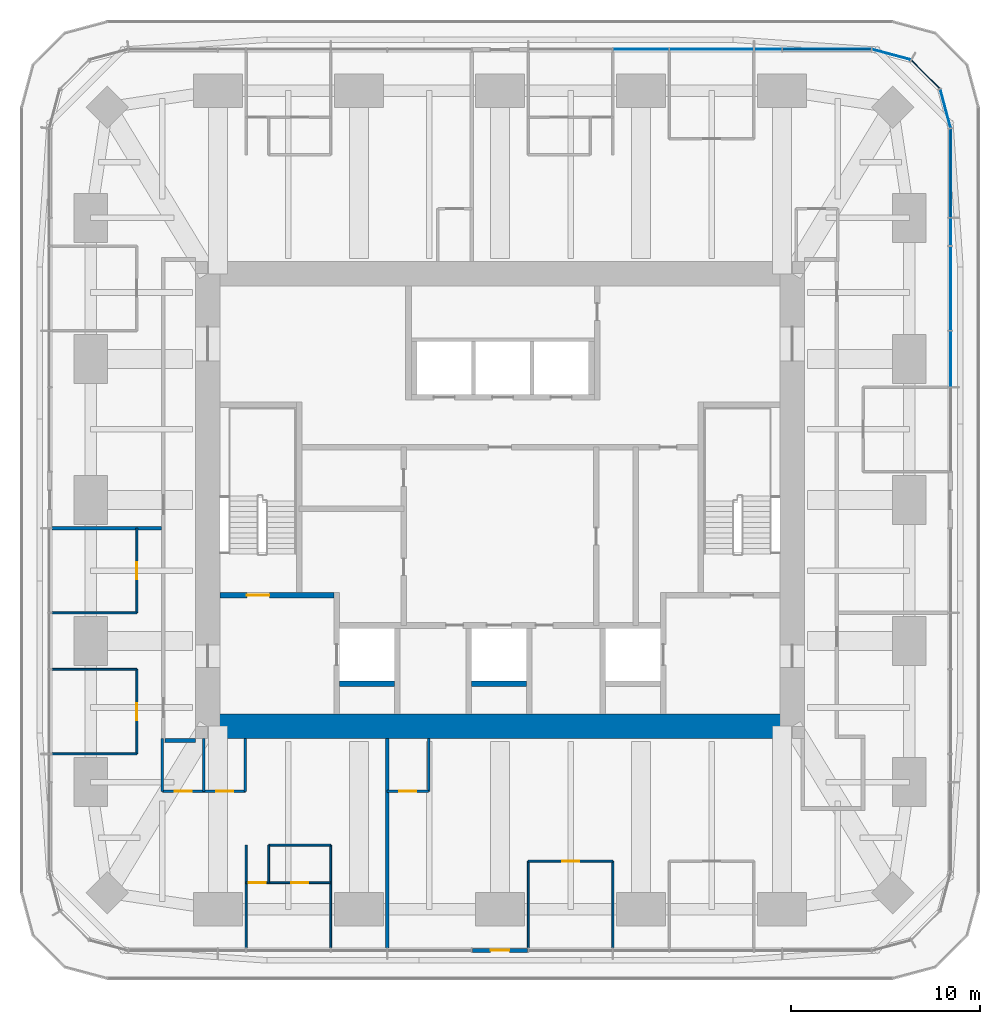
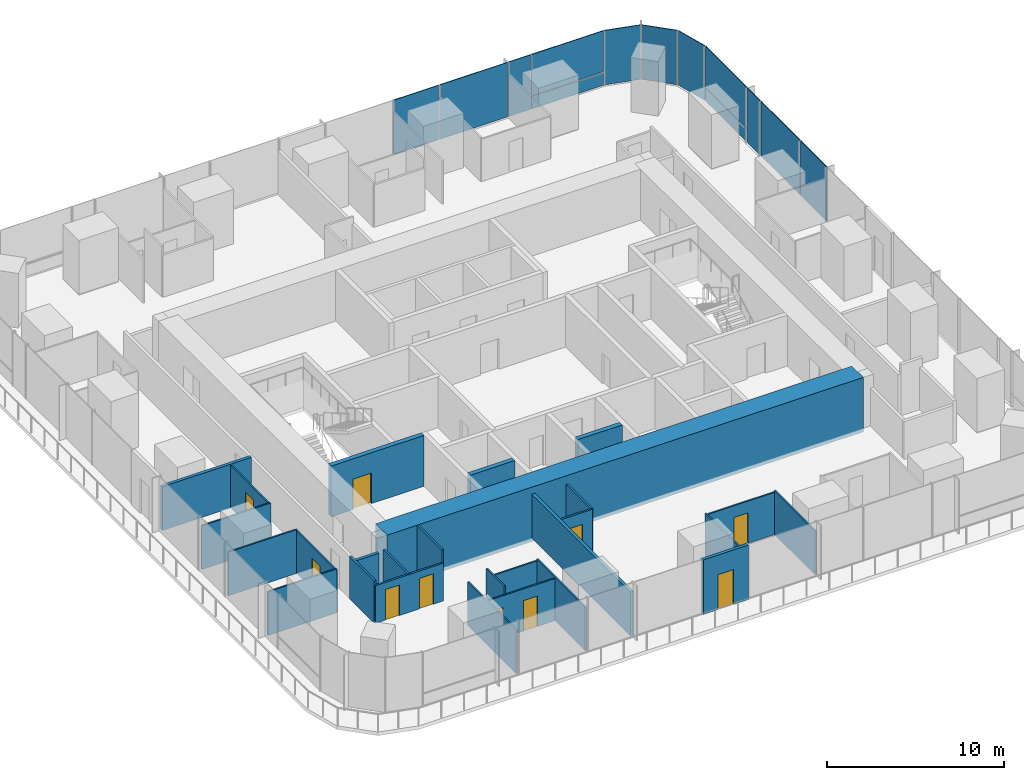
# One storey, part 8 of 15: 27 walls, 13 plates, 10 doors, 10 openings, 3 elements without a shape of their own.
"""IFC4 building model written with IfcOpenShell, lengths in metres."""

from ifc_helpers import new_model, si_unit, direction, frame, frame_2d, origin, origin_2d, place, context, subcontext, project, spatial, rectangle, extrude, material, layer, layer_set, type_object, element, fill, aggregate, save


model = new_model("IFC4")

# Units and contexts
model_context = context("Model", 3, precision=1e-05, world=origin(), true_north=direction((0.0, 1.0)))
body_context = subcontext(model_context, "Body", "Model", "MODEL_VIEW")
ifc_project = project(units=[si_unit("LENGTHUNIT", "METRE"), si_unit("AREAUNIT", "SQUARE_METRE"), si_unit("VOLUMEUNIT", "CUBIC_METRE"), si_unit("PLANEANGLEUNIT", "RADIAN"), si_unit("MASSUNIT", "GRAM", prefix="KILO")], contexts=[model_context])

# Site, building, storey
site_placement = place(None, origin())
site = spatial("IfcSite", under=ifc_project, at=site_placement, CompositionType="ELEMENT")
building_placement = place(site_placement, origin())
building = spatial("IfcBuilding", under=site, at=building_placement, Name="Khuree Lantern Residences", CompositionType="ELEMENT")
storey_placement = place(building_placement, frame((0.0, 0.0, 285.75)))
storey = spatial("IfcBuildingStorey", under=building, at=storey_placement, Name="L71", CompositionType="ELEMENT", Elevation=285.75)

# Curtain wall, plates
ifc_material_1 = material(Name="Bronze anodised aluminium", Category="aluminium")
curtain_wall_type_1 = type_object("IfcCurtainWallType", Name="CW-T2 TOWER CORNER CURTAIN WALL", PredefinedType="USERDEFINED", material=ifc_material_1)
curtain_wall_1_placement = place(storey_placement, origin())
curtain_wall_1 = element("IfcCurtainWall", 1, at=curtain_wall_1_placement, inside=storey, type_object=curtain_wall_type_1, Name="L71 NORTH-EAST CORNER CURTAIN WALL", ObjectType="Faceted corner curtain wall", PredefinedType="USERDEFINED")
ifc_material_2 = material(Name="Bronze tinted triple glazing", Category="glass")
ifc_layer_1 = layer(ifc_material_2, 0.048095703125)
ifc_layer_set_1 = layer_set([ifc_layer_1], Name="FACET PANEL P4")
plate_type_1 = type_object("IfcPlateType", Name="FACET PANEL P4", PredefinedType="CURTAIN_PANEL", material=ifc_layer_set_1)
plate_1_placement = place(storey_placement, frame((23.619140625, 20.748046875, 0.0), z_axis=(0.0, 0.0, 1.0), x_axis=(-0.2588189146, 0.965925861257, 0.0)))
plate_1 = element("IfcPlate", 2, at=plate_1_placement, type_object=plate_type_1, Name="L71 NORTH-EAST CORNER PANEL 15.1", PredefinedType="CURTAIN_PANEL", context=body_context, shape_type="SweptSolid", body=[
    extrude(rectangle(XDim=2.09814453125, YDim=0.048095703125, at=origin_2d()), origin(), (0.0, 0.0, 1.0), 3.75),
])
plate_2_placement = place(storey_placement, frame((22.568603515625, 22.568603515625, 0.0), z_axis=(0.0, 0.0, 1.0), x_axis=(-0.707106781187, 0.707106781187, 0.0)))
plate_2 = element("IfcPlate", 3, at=plate_2_placement, type_object=plate_type_1, Name="L71 NORTH-EAST CORNER PANEL 16.1", PredefinedType="CURTAIN_PANEL", context=body_context, shape_type="SweptSolid", body=[
    extrude(rectangle(XDim=2.093994140625, YDim=0.048095703125, at=origin_2d()), origin(), (0.0, 0.0, 1.0), 3.75),
])
plate_3_placement = place(storey_placement, frame((20.748046875, 23.619140625, 0.0), z_axis=(0.0, 0.0, 1.0), x_axis=(-0.965925861257, 0.2588189146, 0.0)))
plate_3 = element("IfcPlate", 4, at=plate_3_placement, type_object=plate_type_1, Name="L71 NORTH-EAST CORNER PANEL 17.1", PredefinedType="CURTAIN_PANEL", context=body_context, shape_type="SweptSolid", body=[
    extrude(rectangle(XDim=2.09814453125, YDim=0.048095703125, at=origin_2d()), origin(), (0.0, 0.0, 1.0), 3.75),
])
aggregate(curtain_wall_1, [plate_1, plate_2, plate_3])

# Curtain wall, plate
curtain_wall_type_2 = type_object("IfcCurtainWallType", Name="CW-T1 TOWER FACE CURTAIN WALL", PredefinedType="USERDEFINED", material=ifc_material_1)
curtain_wall_2_placement = place(storey_placement, origin())
curtain_wall_2 = element("IfcCurtainWall", 5, at=curtain_wall_2_placement, inside=storey, type_object=curtain_wall_type_2, Name="L71 EAST FACE CURTAIN WALL", ObjectType="Stick-built curtain wall", PredefinedType="USERDEFINED")
ifc_material_3 = material(Name="Bronze tinted triple glazing with a ceramic-fritted spandrel band", Category="glass")
ifc_layer_2 = layer(ifc_material_3, 0.048095703125)
ifc_layer_set_2 = layer_set([ifc_layer_2], Name="FIXED LIGHT PANEL P11")
plate_type_2 = type_object("IfcPlateType", Name="FIXED LIGHT PANEL P11", PredefinedType="CURTAIN_PANEL", material=ifc_layer_set_2)
plate_4_placement = place(storey_placement, frame((23.89990234375, 11.219970703125, 0.0), z_axis=(0.0, 0.0, 1.0), x_axis=(0.0, 1.0, 0.0)))
plate_4 = element("IfcPlate", 6, at=plate_4_placement, type_object=plate_type_2, Name="L71 EAST FACE PANEL 12.1", PredefinedType="CURTAIN_PANEL", context=body_context, shape_type="SweptSolid", body=[
    extrude(rectangle(XDim=4.423095703125, YDim=0.048095703125, at=origin_2d()), origin(), (0.0, 0.0, 1.0), 3.75),
])

curtain_wall_3_placement = place(storey_placement, origin())
curtain_wall_3 = element("IfcCurtainWall", 7, at=curtain_wall_3_placement, inside=storey, type_object=curtain_wall_type_2, Name="L71 NORTH FACE CURTAIN WALL", ObjectType="Stick-built curtain wall", PredefinedType="USERDEFINED")
plate_5_placement = place(storey_placement, frame((11.219970703125, 23.89990234375, 0.0), z_axis=(0.0, 0.0, 1.0), x_axis=(-1.0, 0.0, 0.0)))
plate_5 = element("IfcPlate", 8, at=plate_5_placement, type_object=plate_type_2, Name="L71 NORTH FACE PANEL 20.1", PredefinedType="CURTAIN_PANEL", context=body_context, shape_type="SweptSolid", body=[
    extrude(rectangle(XDim=4.423095703125, YDim=0.048095703125, at=origin_2d()), origin(), (0.0, 0.0, 1.0), 3.75),
])

# Plate
ifc_material_4 = material(Name="Bronze tinted triple glazing, two aluminium-framed sashes in one frame", Category="aluminium")
ifc_layer_3 = layer(ifc_material_4, 0.048095703125)
ifc_layer_set_3 = layer_set([ifc_layer_3], Name="SASH PAIR PANEL P12")
plate_type_3 = type_object("IfcPlateType", Name="SASH PAIR PANEL P12", PredefinedType="CURTAIN_PANEL", material=ifc_layer_set_3)
plate_6_placement = place(storey_placement, frame((23.89990234375, 7.47998046875, 0.0), z_axis=(0.0, 0.0, 1.0), x_axis=(0.0, 1.0, 0.0)))
plate_6 = element("IfcPlate", 9, at=plate_6_placement, type_object=plate_type_3, Name="L71 EAST FACE PANEL 11.1", PredefinedType="CURTAIN_PANEL", context=body_context, shape_type="SweptSolid", body=[
    extrude(rectangle(XDim=2.927001953125, YDim=0.048095703125, at=origin_2d()), origin(), (0.0, 0.0, 1.0), 3.75),
])

plate_7_placement = place(storey_placement, frame((7.47998046875, 23.89990234375, 0.0), z_axis=(0.0, 0.0, 1.0), x_axis=(-1.0, 0.0, 0.0)))
plate_7 = element("IfcPlate", 10, at=plate_7_placement, type_object=plate_type_3, Name="L71 NORTH FACE PANEL 21.1", PredefinedType="CURTAIN_PANEL", context=body_context, shape_type="SweptSolid", body=[
    extrude(rectangle(XDim=2.927001953125, YDim=0.048095703125, at=origin_2d()), origin(), (0.0, 0.0, 1.0), 3.75),
])

ifc_material_5 = material(Name="Bronze tinted triple glazing, aluminium-framed sash", Category="aluminium")
ifc_layer_4 = layer(ifc_material_5, 0.048095703125)
ifc_layer_set_4 = layer_set([ifc_layer_4], Name="SASH PANEL P3")
plate_type_4 = type_object("IfcPlateType", Name="SASH PANEL P3", PredefinedType="CURTAIN_PANEL", material=ifc_layer_set_4)
plate_8_placement = place(storey_placement, frame((23.89990234375, 14.2119140625, 0.0), z_axis=(0.0, 0.0, 1.0), x_axis=(0.0, 1.0, 0.0)))
plate_8 = element("IfcPlate", 11, at=plate_8_placement, type_object=plate_type_4, Name="L71 EAST FACE PANEL 13.1", PredefinedType="CURTAIN_PANEL", context=body_context, shape_type="SweptSolid", body=[
    extrude(rectangle(XDim=1.430908203125, YDim=0.048095703125, at=origin_2d()), origin(), (0.0, 0.0, 1.0), 3.75),
])

plate_9_placement = place(storey_placement, frame((14.2119140625, 23.89990234375, 0.0), z_axis=(0.0, 0.0, 1.0), x_axis=(-1.0, 0.0, 0.0)))
plate_9 = element("IfcPlate", 12, at=plate_9_placement, type_object=plate_type_4, Name="L71 NORTH FACE PANEL 19.1", PredefinedType="CURTAIN_PANEL", context=body_context, shape_type="SweptSolid", body=[
    extrude(rectangle(XDim=1.430908203125, YDim=0.048095703125, at=origin_2d()), origin(), (0.0, 0.0, 1.0), 3.75),
])

ifc_material_6 = material(Name="Bronze anodised aluminium insulated spandrel", Category="aluminium")
ifc_layer_5 = layer(ifc_material_6, 0.06005859375)
ifc_layer_set_5 = layer_set([ifc_layer_5], Name="SPANDREL PANEL P2")
plate_type_5 = type_object("IfcPlateType", Name="SPANDREL PANEL P2", PredefinedType="CURTAIN_PANEL", material=ifc_layer_set_5)
plate_10_placement = place(storey_placement, frame((23.89990234375, 17.327880859375, 0.0), z_axis=(0.0, 0.0, 1.0), x_axis=(0.0, 1.0, 0.0)))
plate_10 = element("IfcPlate", 13, at=plate_10_placement, type_object=plate_type_5, Name="L71 EAST FACE PANEL 14.1", PredefinedType="CURTAIN_PANEL", context=body_context, shape_type="SweptSolid", body=[
    extrude(rectangle(XDim=4.670654296875, YDim=0.06005859375, at=origin_2d()), origin(), (0.0, 0.0, 1.0), 0.867431640625),
])

plate_11_placement = place(storey_placement, frame((17.327880859375, 23.89990234375, 0.0), z_axis=(0.0, 0.0, 1.0), x_axis=(-1.0, 0.0, 0.0)))
plate_11 = element("IfcPlate", 14, at=plate_11_placement, type_object=plate_type_5, Name="L71 NORTH FACE PANEL 18.1", PredefinedType="CURTAIN_PANEL", context=body_context, shape_type="SweptSolid", body=[
    extrude(rectangle(XDim=4.670654296875, YDim=0.06005859375, at=origin_2d()), origin(), (0.0, 0.0, 1.0), 0.867431640625),
])

ifc_layer_6 = layer(ifc_material_2, 0.048095703125)
ifc_layer_set_6 = layer_set([ifc_layer_6], Name="VISION PANEL P1")
plate_type_6 = type_object("IfcPlateType", Name="VISION PANEL P1", PredefinedType="CURTAIN_PANEL", material=ifc_layer_set_6)
plate_12_placement = place(storey_placement, frame((23.89990234375, 17.328369140625, 0.9326171875), z_axis=(0.0, 0.0, 1.0), x_axis=(0.0, 1.0, 0.0)))
plate_12 = element("IfcPlate", 15, at=plate_12_placement, type_object=plate_type_6, Name="L71 EAST FACE PANEL 14.2", PredefinedType="CURTAIN_PANEL", context=body_context, shape_type="SweptSolid", body=[
    extrude(rectangle(XDim=4.671630859375, YDim=0.048095703125, at=origin_2d()), origin(), (0.0, 0.0, 1.0), 2.8173828125),
])

aggregate(curtain_wall_2, [plate_6, plate_4, plate_8, plate_10, plate_12])

plate_13_placement = place(storey_placement, frame((17.328369140625, 23.89990234375, 0.9326171875), z_axis=(0.0, 0.0, 1.0), x_axis=(-1.0, 0.0, 0.0)))
plate_13 = element("IfcPlate", 16, at=plate_13_placement, type_object=plate_type_6, Name="L71 NORTH FACE PANEL 18.2", PredefinedType="CURTAIN_PANEL", context=body_context, shape_type="SweptSolid", body=[
    extrude(rectangle(XDim=4.671630859375, YDim=0.048095703125, at=origin_2d()), origin(), (0.0, 0.0, 1.0), 2.8173828125),
])

aggregate(curtain_wall_3, [plate_11, plate_13, plate_9, plate_5, plate_7])

# Wall, openings, doors
ifc_material_7 = material(Name="Moisture-resistant gypsum board on steel studs", Category="steel")
ifc_layer_7 = layer(ifc_material_7, 0.125)
ifc_layer_set_7 = layer_set([ifc_layer_7], Name="BATHROOM WALL BTW125")
wall_type_1 = type_object("IfcWallType", Name="BATHROOM WALL BTW125", PredefinedType="PARTITIONING", material=ifc_layer_set_7)
wall_1_placement = place(storey_placement, frame((-17.89990234375, -15.449951171875, 0.0), z_axis=(0.0, 0.0, 1.0), x_axis=(1.0, 0.0, 0.0)))
wall_1 = element("IfcWall", 17, at=wall_1_placement, inside=storey, type_object=wall_type_1, Name="L71 BATHROOM WALL 03", PredefinedType="PARTITIONING", context=body_context, shape_type="SweptSolid", body=[
    extrude(rectangle(XDim=4.39990234375, YDim=0.125, at=frame_2d((2.199951171875, 0.0))), origin(), (0.0, 0.0, 1.0), 2.60009765625),
])
opening_1_placement = place(wall_1_placement, frame((0.64990234375, 0.0, 0.0)))
opening_1 = element("IfcOpeningElement", 18, at=opening_1_placement, cuts=wall_1, Name="Opening 71-036", PredefinedType="OPENING", context=body_context, shape_type="SweptSolid", body=[
    extrude(rectangle(XDim=0.89990234375, YDim=2.10009765625, at=frame_2d((0.449951171875, 1.050048828125))), frame((0.0, 0.072509765625, 0.0), z_axis=(0.0, -1.0, 0.0), x_axis=(1.0, 0.0, 0.0)), (0.0, 0.0, 1.0), 0.14501953125),
])
opening_2_placement = place(wall_1_placement, frame((2.85009765625, 0.0, 0.0)))
opening_2 = element("IfcOpeningElement", 19, at=opening_2_placement, cuts=wall_1, Name="Opening 71-037", PredefinedType="OPENING", context=body_context, shape_type="SweptSolid", body=[
    extrude(rectangle(XDim=0.89990234375, YDim=2.10009765625, at=frame_2d((0.449951171875, 1.050048828125))), frame((0.0, 0.072509765625, 0.0), z_axis=(0.0, -1.0, 0.0), x_axis=(1.0, 0.0, 0.0)), (0.0, 0.0, 1.0), 0.14501953125),
])
ifc_material_8 = material(Name="Timber door leaf in hardwood frame", Category="wood")
door_type_1 = type_object("IfcDoorType", Name="BATHROOM DOOR 900X2100", OperationType="SINGLE_SWING_LEFT", PredefinedType="DOOR", material=ifc_material_8)
door_1_placement = place(opening_1_placement, origin())
door_1 = element("IfcDoor", 20, at=door_1_placement, inside=storey, type_object=door_type_1, Name="Bathroom door 71-036", OperationType="SINGLE_SWING_LEFT", OverallHeight=2.10009765625, OverallWidth=0.89990234375, PredefinedType="DOOR", context=body_context, shape_type="SweptSolid", body=[
    extrude(rectangle(XDim=0.89990234375, YDim=2.10009765625, at=frame_2d((0.449951171875, 1.050048828125))), frame((0.0, 0.02490234375, 0.0), z_axis=(0.0, -1.0, 0.0), x_axis=(1.0, 0.0, 0.0)), (0.0, 0.0, 1.0), 0.050048828125),
])
fill(opening_1, door_1)
door_2_placement = place(opening_2_placement, origin())
door_2 = element("IfcDoor", 21, at=door_2_placement, inside=storey, type_object=door_type_1, Name="Bathroom door 71-037", OperationType="SINGLE_SWING_LEFT", OverallHeight=2.10009765625, OverallWidth=0.89990234375, PredefinedType="DOOR", context=body_context, shape_type="SweptSolid", body=[
    extrude(rectangle(XDim=0.89990234375, YDim=2.10009765625, at=frame_2d((0.449951171875, 1.050048828125))), frame((0.0, 0.02490234375, 0.0), z_axis=(0.0, -1.0, 0.0), x_axis=(1.0, 0.0, 0.0)), (0.0, 0.0, 1.0), 0.050048828125),
])
fill(opening_2, door_2)

# Walls
wall_2_placement = place(storey_placement, frame((-17.89990234375, -12.64990234375, 0.0), z_axis=(0.0, 0.0, 1.0), x_axis=(0.0, -1.0, 0.0)))
element("IfcWall", 22, at=wall_2_placement, inside=storey, type_object=wall_type_1, Name="L71 BATHROOM WALL 03", PredefinedType="PARTITIONING", context=body_context, shape_type="SweptSolid", body=[
    extrude(rectangle(XDim=2.800048828125, YDim=0.125, at=frame_2d((1.39990234375, 0.0))), origin(), (0.0, 0.0, 1.0), 2.89990234375),
])
wall_3_placement = place(storey_placement, frame((-15.699951171875, -12.64990234375, 0.0), z_axis=(0.0, 0.0, 1.0), x_axis=(0.0, -1.0, 0.0)))
element("IfcWall", 23, at=wall_3_placement, inside=storey, type_object=wall_type_1, Name="L71 BATHROOM WALL 03", PredefinedType="PARTITIONING", context=body_context, shape_type="SweptSolid", body=[
    extrude(rectangle(XDim=2.800048828125, YDim=0.125, at=frame_2d((1.39990234375, 0.0))), origin(), (0.0, 0.0, 1.0), 2.60009765625),
])
wall_4_placement = place(storey_placement, frame((-13.5, -12.64990234375, 0.0), z_axis=(0.0, 0.0, 1.0), x_axis=(0.0, -1.0, 0.0)))
element("IfcWall", 24, at=wall_4_placement, inside=storey, type_object=wall_type_1, Name="L71 BATHROOM WALL 03", PredefinedType="PARTITIONING", context=body_context, shape_type="SweptSolid", body=[
    extrude(rectangle(XDim=2.800048828125, YDim=0.125, at=frame_2d((1.39990234375, 0.0))), origin(), (0.0, 0.0, 1.0), 3.5),
])

# Wall, opening, door
wall_5_placement = place(storey_placement, frame((-5.98388671875, -15.449951171875, 0.0), z_axis=(0.0, 0.0, 1.0), x_axis=(1.0, 0.0, 0.0)))
wall_5 = element("IfcWall", 25, at=wall_5_placement, inside=storey, type_object=wall_type_1, Name="L71 BATHROOM WALL 04", PredefinedType="PARTITIONING", context=body_context, shape_type="SweptSolid", body=[
    extrude(rectangle(XDim=2.199951171875, YDim=0.125, at=frame_2d((1.10009765625, 0.0))), origin(), (0.0, 0.0, 1.0), 2.909912109375),
])
opening_3_placement = place(wall_5_placement, frame((0.64990234375, 0.0, 0.0)))
opening_3 = element("IfcOpeningElement", 26, at=opening_3_placement, cuts=wall_5, Name="Opening 71-041", PredefinedType="OPENING", context=body_context, shape_type="SweptSolid", body=[
    extrude(rectangle(XDim=0.89990234375, YDim=2.10009765625, at=frame_2d((0.449951171875, 1.050048828125))), frame((0.0, 0.072509765625, 0.0), z_axis=(0.0, -1.0, 0.0), x_axis=(1.0, 0.0, 0.0)), (0.0, 0.0, 1.0), 0.14501953125),
])
door_3_placement = place(opening_3_placement, origin())
door_3 = element("IfcDoor", 27, at=door_3_placement, inside=storey, type_object=door_type_1, Name="Bathroom door 71-041", OperationType="SINGLE_SWING_LEFT", OverallHeight=2.10009765625, OverallWidth=0.89990234375, PredefinedType="DOOR", context=body_context, shape_type="SweptSolid", body=[
    extrude(rectangle(XDim=0.89990234375, YDim=2.10009765625, at=frame_2d((0.449951171875, 1.050048828125))), frame((0.0, 0.02490234375, 0.0), z_axis=(0.0, -1.0, 0.0), x_axis=(1.0, 0.0, 0.0)), (0.0, 0.0, 1.0), 0.050048828125),
])
fill(opening_3, door_3)

# Walls
wall_6_placement = place(storey_placement, frame((-3.783935546875, -12.64990234375, 0.0), z_axis=(0.0, 0.0, 1.0), x_axis=(0.0, -1.0, 0.0)))
element("IfcWall", 28, at=wall_6_placement, inside=storey, type_object=wall_type_1, Name="L71 BATHROOM WALL 04", PredefinedType="PARTITIONING", context=body_context, shape_type="SweptSolid", body=[
    extrude(rectangle(XDim=2.800048828125, YDim=0.125, at=frame_2d((1.39990234375, 0.0))), origin(), (0.0, 0.0, 1.0), 2.909912109375),
])
ifc_material_9 = material(Name="Dense concrete blockwork", Category="masonry")
ifc_layer_8 = layer(ifc_material_9, 0.300048828125)
ifc_layer_set_8 = layer_set([ifc_layer_8], Name="CORE PARTITION WALL CPW300 EI 120")
wall_type_2 = type_object("IfcWallType", Name="CORE PARTITION WALL CPW300 EI 120", PredefinedType="PARTITIONING", material=ifc_layer_set_8)
for number, where, z_axis, x_axis, name in (
    (29, (-8.5, -9.75, 0.0), (0.0, 0.0, 1.0), (1.0, 0.0, 0.0), "L71 CORE WALL FL1S"),
    (30, (-1.5, -9.75, 0.0), (0.0, 0.0, 1.0), (1.0, 0.0, 0.0), "L71 CORE WALL SL1S"),
):
    element("IfcWall", number, at=place(storey_placement, frame(where, z_axis=z_axis, x_axis=x_axis)), inside=storey, type_object=wall_type_2, Name=name, PredefinedType="PARTITIONING", context=body_context, shape_type="SweptSolid", body=[
        extrude(rectangle(XDim=2.89990234375, YDim=0.300048828125, at=frame_2d((1.449951171875, 0.0))), origin(), (0.0, 0.0, 1.0), 3.5),
    ])
ifc_material_10 = material(Name="Gypsum board on steel studs", Category="steel")
ifc_layer_9 = layer(ifc_material_10, 0.199951171875)
ifc_layer_set_9 = layer_set([ifc_layer_9], Name="CORRIDOR WALL CRW200 EI 60")
wall_type_3 = type_object("IfcWallType", Name="CORRIDOR WALL CRW200 EI 60", PredefinedType="PARTITIONING", material=ifc_layer_set_9)
wall_7_placement = place(storey_placement, frame((-16.14990234375, -12.75, 0.0), z_axis=(0.0, 0.0, 1.0), x_axis=(-1.0, 0.0, 0.0)))
element("IfcWall", 31, at=wall_7_placement, inside=storey, type_object=wall_type_3, Name="L71 WEST CORRIDOR SOUTH END WALL", PredefinedType="PARTITIONING", context=body_context, shape_type="SweptSolid", body=[
    extrude(rectangle(XDim=1.60009765625, YDim=0.199951171875, at=frame_2d((0.800048828125, 0.0))), origin(), (0.0, 0.0, 1.0), 2.60009765625),
])
ifc_material_11 = material(Name="Concrete C50/60", Category="concrete")
ifc_layer_10 = layer(ifc_material_11, 1.300048828125)
ifc_layer_set_10 = layer_set([ifc_layer_10], Name="CW1300-C50 CORE WALL C50 1300")
wall_type_4 = type_object("IfcWallType", Name="CW1300-C50 CORE WALL C50 1300", PredefinedType="SHEAR", material=ifc_layer_set_10)
wall_8_placement = place(storey_placement, frame((-15.5, -12.0, -0.25), z_axis=(0.0, 0.0, 1.0), x_axis=(1.0, 0.0, 0.0)))
element("IfcWall", 32, at=wall_8_placement, inside=storey, type_object=wall_type_4, Name="Core wall S", PredefinedType="SHEAR", context=body_context, shape_type="SweptSolid", body=[
    extrude(rectangle(XDim=31.0, YDim=1.300048828125, at=frame_2d((15.5, 0.0))), origin(), (0.0, 0.0, 1.0), 3.75),
])
ifc_layer_11 = layer(ifc_material_10, 0.199951171875)
ifc_layer_set_11 = layer_set([ifc_layer_11], Name="DEMISING WALL DMW200 EI 90")
wall_type_5 = type_object("IfcWallType", Name="DEMISING WALL DMW200 EI 90", PredefinedType="PARTITIONING", material=ifc_layer_set_11)
wall_9_placement = place(storey_placement, frame((-17.949951171875, -1.49609375, 0.0), z_axis=(0.0, 0.0, 1.0), x_axis=(-1.0, 0.0, 0.0)))
element("IfcWall", 33, at=wall_9_placement, inside=storey, type_object=wall_type_5, Name="L71 DEMISING WALL 03", PredefinedType="PARTITIONING", context=body_context, shape_type="SweptSolid", body=[
    extrude(rectangle(XDim=5.800048828125, YDim=0.199951171875, at=frame_2d((2.89990234375, 0.0))), origin(), (0.0, 0.0, 1.0), 3.010009765625),
])
wall_10_placement = place(storey_placement, frame((-5.98388671875, -12.64990234375, 0.0), z_axis=(0.0, 0.0, 1.0), x_axis=(0.0, -1.0, 0.0)))
element("IfcWall", 34, at=wall_10_placement, inside=storey, type_object=wall_type_5, Name="L71 DEMISING WALL 04", PredefinedType="PARTITIONING", context=body_context, shape_type="SweptSolid", body=[
    extrude(rectangle(XDim=11.10009765625, YDim=0.199951171875, at=frame_2d((5.550048828125, 0.0))), origin(), (0.0, 0.0, 1.0), 3.010009765625),
])
ifc_layer_12 = layer(ifc_material_10, 0.10009765625)
ifc_layer_set_12 = layer_set([ifc_layer_12], Name="PARTITION PT100")
wall_type_6 = type_object("IfcWallType", Name="PARTITION PT100", PredefinedType="PARTITIONING", material=ifc_layer_set_12)
for number, where, z_axis, x_axis, name in (
    (35, (-19.25, -5.98388671875, 0.0), (0.0, 0.0, 1.0), (-1.0, 0.0, 0.0), "L71 PARTITION 03"),
    (36, (-19.25, -8.97607421875, 0.0), (0.0, 0.0, 1.0), (-1.0, 0.0, 0.0), "L71 PARTITION 03"),
    (37, (-19.25, -13.464111328125, 0.0), (0.0, 0.0, 1.0), (-1.0, 0.0, 0.0), "L71 PARTITION 03"),
):
    element("IfcWall", number, at=place(storey_placement, frame(where, z_axis=z_axis, x_axis=x_axis)), inside=storey, type_object=wall_type_6, Name=name, PredefinedType="PARTITIONING", context=body_context, shape_type="SweptSolid", body=[
        extrude(rectangle(XDim=4.5, YDim=0.10009765625, at=frame_2d((2.25, 0.0))), origin(), (0.0, 0.0, 1.0), 3.010009765625),
    ])
for number, where, z_axis, x_axis, name in (
    (38, (-13.464111328125, -18.29638671875, 0.0), (0.0, 0.0, 1.0), (0.0, -1.0, 0.0), "L71 PARTITION 03"),
    (39, (-8.97607421875, -18.29638671875, 0.0), (0.0, 0.0, 1.0), (0.0, -1.0, 0.0), "L71 PARTITION 03"),
):
    element("IfcWall", number, at=place(storey_placement, frame(where, z_axis=z_axis, x_axis=x_axis)), inside=storey, type_object=wall_type_6, Name=name, PredefinedType="PARTITIONING", context=body_context, shape_type="SweptSolid", body=[
        extrude(rectangle(XDim=5.45361328125, YDim=0.10009765625, at=frame_2d((2.726806640625, 0.0))), origin(), (0.0, 0.0, 1.0), 3.010009765625),
    ])
for number, where, z_axis, x_axis, name in (
    (40, (1.49609375, -19.14990234375, 0.0), (0.0, 0.0, 1.0), (0.0, -1.0, 0.0), "L71 PARTITION 04"),
    (41, (5.98388671875, -19.14990234375, 0.0), (0.0, 0.0, 1.0), (0.0, -1.0, 0.0), "L71 PARTITION 04"),
):
    element("IfcWall", number, at=place(storey_placement, frame(where, z_axis=z_axis, x_axis=x_axis)), inside=storey, type_object=wall_type_6, Name=name, PredefinedType="PARTITIONING", context=body_context, shape_type="SweptSolid", body=[
        extrude(rectangle(XDim=4.60009765625, YDim=0.10009765625, at=frame_2d((2.300048828125, 0.0))), origin(), (0.0, 0.0, 1.0), 3.010009765625),
    ])

# Wall, opening, door
wall_11_placement = place(storey_placement, frame((-19.25, -1.49609375, 0.0), z_axis=(0.0, 0.0, 1.0), x_axis=(0.0, -1.0, 0.0)))
wall_11 = element("IfcWall", 42, at=wall_11_placement, inside=storey, type_object=wall_type_6, Name="L71 PARTITION 03", PredefinedType="PARTITIONING", context=body_context, shape_type="SweptSolid", body=[
    extrude(rectangle(XDim=4.48779296875, YDim=0.10009765625, at=frame_2d((2.243896484375, 0.0))), origin(), (0.0, 0.0, 1.0), 2.909912109375),
])
opening_4_placement = place(wall_11_placement, frame((1.7939453125, 0.0, 0.0)))
opening_4 = element("IfcOpeningElement", 43, at=opening_4_placement, cuts=wall_11, Name="Opening 71-032", PredefinedType="OPENING", context=body_context, shape_type="SweptSolid", body=[
    extrude(rectangle(XDim=0.89990234375, YDim=2.10009765625, at=frame_2d((0.449951171875, 1.050048828125))), frame((0.0, 0.06005859375, 0.0), z_axis=(0.0, -1.0, 0.0), x_axis=(1.0, 0.0, 0.0)), (0.0, 0.0, 1.0), 0.1201171875),
])
door_type_2 = type_object("IfcDoorType", Name="BEDROOM DOOR 900X2100", OperationType="SINGLE_SWING_LEFT", PredefinedType="DOOR", material=ifc_material_8)
door_4_placement = place(opening_4_placement, origin())
door_4 = element("IfcDoor", 44, at=door_4_placement, inside=storey, type_object=door_type_2, Name="Bedroom door 71-032", OperationType="SINGLE_SWING_LEFT", OverallHeight=2.10009765625, OverallWidth=0.89990234375, PredefinedType="DOOR", context=body_context, shape_type="SweptSolid", body=[
    extrude(rectangle(XDim=0.89990234375, YDim=2.10009765625, at=frame_2d((0.449951171875, 1.050048828125))), frame((0.0, 0.02490234375, 0.0), z_axis=(0.0, -1.0, 0.0), x_axis=(1.0, 0.0, 0.0)), (0.0, 0.0, 1.0), 0.050048828125),
])
fill(opening_4, door_4)

wall_12_placement = place(storey_placement, frame((-19.25, -8.97607421875, 0.0), z_axis=(0.0, 0.0, 1.0), x_axis=(0.0, -1.0, 0.0)))
wall_12 = element("IfcWall", 45, at=wall_12_placement, inside=storey, type_object=wall_type_6, Name="L71 PARTITION 03", PredefinedType="PARTITIONING", context=body_context, shape_type="SweptSolid", body=[
    extrude(rectangle(XDim=4.488037109375, YDim=0.10009765625, at=frame_2d((2.244140625, 0.0))), origin(), (0.0, 0.0, 1.0), 2.909912109375),
])
opening_5_placement = place(wall_12_placement, frame((1.7939453125, 0.0, 0.0)))
opening_5 = element("IfcOpeningElement", 46, at=opening_5_placement, cuts=wall_12, Name="Opening 71-033", PredefinedType="OPENING", context=body_context, shape_type="SweptSolid", body=[
    extrude(rectangle(XDim=0.89990234375, YDim=2.10009765625, at=frame_2d((0.449951171875, 1.050048828125))), frame((0.0, 0.06005859375, 0.0), z_axis=(0.0, -1.0, 0.0), x_axis=(1.0, 0.0, 0.0)), (0.0, 0.0, 1.0), 0.1201171875),
])
door_5_placement = place(opening_5_placement, origin())
door_5 = element("IfcDoor", 47, at=door_5_placement, inside=storey, type_object=door_type_2, Name="Bedroom door 71-033", OperationType="SINGLE_SWING_LEFT", OverallHeight=2.10009765625, OverallWidth=0.89990234375, PredefinedType="DOOR", context=body_context, shape_type="SweptSolid", body=[
    extrude(rectangle(XDim=0.89990234375, YDim=2.10009765625, at=frame_2d((0.449951171875, 1.050048828125))), frame((0.0, 0.02490234375, 0.0), z_axis=(0.0, -1.0, 0.0), x_axis=(1.0, 0.0, 0.0)), (0.0, 0.0, 1.0), 0.050048828125),
])
fill(opening_5, door_5)

# Wall, openings, doors
wall_13_placement = place(storey_placement, frame((-13.464111328125, -20.29638671875, 0.0), z_axis=(0.0, 0.0, 1.0), x_axis=(1.0, 0.0, 0.0)))
wall_13 = element("IfcWall", 48, at=wall_13_placement, inside=storey, type_object=wall_type_6, Name="L71 PARTITION 03", PredefinedType="PARTITIONING", context=body_context, shape_type="SweptSolid", body=[
    extrude(rectangle(XDim=4.488037109375, YDim=0.10009765625, at=frame_2d((2.244140625, 0.0))), origin(), (0.0, 0.0, 1.0), 2.909912109375),
])
opening_6_placement = place(wall_13_placement, frame((0.14990234375, 0.0, 0.0)))
opening_6 = element("IfcOpeningElement", 49, at=opening_6_placement, cuts=wall_13, Name="Opening 71-034", PredefinedType="OPENING", context=body_context, shape_type="SweptSolid", body=[
    extrude(rectangle(XDim=0.89990234375, YDim=2.10009765625, at=frame_2d((0.449951171875, 1.050048828125))), frame((0.0, 0.06005859375, 0.0), z_axis=(0.0, -1.0, 0.0), x_axis=(1.0, 0.0, 0.0)), (0.0, 0.0, 1.0), 0.1201171875),
])
opening_7_placement = place(wall_13_placement, frame((2.39404296875, 0.0, 0.0)))
opening_7 = element("IfcOpeningElement", 50, at=opening_7_placement, cuts=wall_13, Name="Opening 71-035", PredefinedType="OPENING", context=body_context, shape_type="SweptSolid", body=[
    extrude(rectangle(XDim=0.89990234375, YDim=2.10009765625, at=frame_2d((0.449951171875, 1.050048828125))), frame((0.0, 0.06005859375, 0.0), z_axis=(0.0, -1.0, 0.0), x_axis=(1.0, 0.0, 0.0)), (0.0, 0.0, 1.0), 0.1201171875),
])
door_6_placement = place(opening_6_placement, origin())
door_6 = element("IfcDoor", 51, at=door_6_placement, inside=storey, type_object=door_type_2, Name="Bedroom door 71-034", OperationType="SINGLE_SWING_LEFT", OverallHeight=2.10009765625, OverallWidth=0.89990234375, PredefinedType="DOOR", context=body_context, shape_type="SweptSolid", body=[
    extrude(rectangle(XDim=0.89990234375, YDim=2.10009765625, at=frame_2d((0.449951171875, 1.050048828125))), frame((0.0, 0.02490234375, 0.0), z_axis=(0.0, -1.0, 0.0), x_axis=(1.0, 0.0, 0.0)), (0.0, 0.0, 1.0), 0.050048828125),
])
fill(opening_6, door_6)
door_type_3 = type_object("IfcDoorType", Name="DOOR 900X2100", OperationType="SINGLE_SWING_LEFT", PredefinedType="DOOR", material=ifc_material_8)
door_7_placement = place(opening_7_placement, origin())
door_7 = element("IfcDoor", 52, at=door_7_placement, inside=storey, type_object=door_type_3, Name="Wardrobe door 71-035", OperationType="SINGLE_SWING_LEFT", OverallHeight=2.10009765625, OverallWidth=0.89990234375, PredefinedType="DOOR", context=body_context, shape_type="SweptSolid", body=[
    extrude(rectangle(XDim=0.89990234375, YDim=2.10009765625, at=frame_2d((0.449951171875, 1.050048828125))), frame((0.0, 0.02490234375, 0.0), z_axis=(0.0, -1.0, 0.0), x_axis=(1.0, 0.0, 0.0)), (0.0, 0.0, 1.0), 0.050048828125),
])
fill(opening_7, door_7)

# Walls
wall_14_placement = place(storey_placement, frame((-12.263916015625, -18.29638671875, 0.0), z_axis=(0.0, 0.0, 1.0), x_axis=(0.0, -1.0, 0.0)))
element("IfcWall", 53, at=wall_14_placement, inside=storey, type_object=wall_type_6, Name="L71 PARTITION 03", PredefinedType="PARTITIONING", context=body_context, shape_type="SweptSolid", body=[
    extrude(rectangle(XDim=2.0, YDim=0.10009765625, at=frame_2d((1.0, 0.0))), origin(), (0.0, 0.0, 1.0), 3.5),
])
wall_15_placement = place(storey_placement, frame((-12.263916015625, -18.29638671875, 0.0), z_axis=(0.0, 0.0, 1.0), x_axis=(1.0, 0.0, 0.0)))
element("IfcWall", 54, at=wall_15_placement, inside=storey, type_object=wall_type_6, Name="L71 PARTITION 03", PredefinedType="PARTITIONING", context=body_context, shape_type="SweptSolid", body=[
    extrude(rectangle(XDim=3.287841796875, YDim=0.10009765625, at=frame_2d((1.64404296875, 0.0))), origin(), (0.0, 0.0, 1.0), 2.909912109375),
])

# Wall, opening, door
wall_16_placement = place(storey_placement, frame((1.49609375, -19.14990234375, 0.0), z_axis=(0.0, 0.0, 1.0), x_axis=(1.0, 0.0, 0.0)))
wall_16 = element("IfcWall", 55, at=wall_16_placement, inside=storey, type_object=wall_type_6, Name="L71 PARTITION 04", PredefinedType="PARTITIONING", context=body_context, shape_type="SweptSolid", body=[
    extrude(rectangle(XDim=4.48779296875, YDim=0.10009765625, at=frame_2d((2.243896484375, 0.0))), origin(), (0.0, 0.0, 1.0), 2.909912109375),
])
opening_8_placement = place(wall_16_placement, frame((1.7939453125, 0.0, 0.0)))
opening_8 = element("IfcOpeningElement", 56, at=opening_8_placement, cuts=wall_16, Name="Opening 71-039", PredefinedType="OPENING", context=body_context, shape_type="SweptSolid", body=[
    extrude(rectangle(XDim=0.89990234375, YDim=2.10009765625, at=frame_2d((0.449951171875, 1.050048828125))), frame((0.0, 0.06005859375, 0.0), z_axis=(0.0, -1.0, 0.0), x_axis=(1.0, 0.0, 0.0)), (0.0, 0.0, 1.0), 0.1201171875),
])
door_8_placement = place(opening_8_placement, origin())
door_8 = element("IfcDoor", 57, at=door_8_placement, inside=storey, type_object=door_type_2, Name="Bedroom door 71-039", OperationType="SINGLE_SWING_LEFT", OverallHeight=2.10009765625, OverallWidth=0.89990234375, PredefinedType="DOOR", context=body_context, shape_type="SweptSolid", body=[
    extrude(rectangle(XDim=0.89990234375, YDim=2.10009765625, at=frame_2d((0.449951171875, 1.050048828125))), frame((0.0, 0.02490234375, 0.0), z_axis=(0.0, -1.0, 0.0), x_axis=(1.0, 0.0, 0.0)), (0.0, 0.0, 1.0), 0.050048828125),
])
fill(opening_8, door_8)

ifc_layer_13 = layer(ifc_material_11, 0.300048828125)
ifc_layer_set_13 = layer_set([ifc_layer_13], Name="STAIR WALL SRW300 C50/60 REI 240")
wall_type_7 = type_object("IfcWallType", Name="STAIR WALL SRW300 C50/60 REI 240", PredefinedType="SOLIDWALL", material=ifc_layer_set_13)
wall_17_placement = place(storey_placement, frame((-14.85009765625, -5.050048828125, 0.0), z_axis=(0.0, 0.0, 1.0), x_axis=(1.0, 0.0, 0.0)))
wall_17 = element("IfcWall", 58, at=wall_17_placement, inside=storey, type_object=wall_type_7, Name="L71 STAIR WALL ST1S", PredefinedType="SOLIDWALL", context=body_context, shape_type="SweptSolid", body=[
    extrude(rectangle(XDim=6.050048828125, YDim=0.300048828125, at=frame_2d((3.02490234375, 0.0))), origin(), (0.0, 0.0, 1.0), 3.5),
])
opening_9_placement = place(wall_17_placement, frame((1.425048828125, 0.0, 0.0)))
opening_9 = element("IfcOpeningElement", 59, at=opening_9_placement, cuts=wall_17, Name="Opening 71-001", PredefinedType="OPENING", context=body_context, shape_type="SweptSolid", body=[
    extrude(rectangle(XDim=1.199951171875, YDim=2.10009765625, at=frame_2d((0.60009765625, 1.050048828125))), frame((0.0, 0.16015625, 0.0), z_axis=(0.0, -1.0, 0.0), x_axis=(1.0, 0.0, 0.0)), (0.0, 0.0, 1.0), 0.320068359375),
])
ifc_material_12 = material(Name="Steel door leaf in steel frame", Category="steel")
door_type_4 = type_object("IfcDoorType", Name="STAIR DOOR 1200X2100 EI 120", OperationType="SINGLE_SWING_LEFT", PredefinedType="DOOR", material=ifc_material_12)
door_9_placement = place(opening_9_placement, origin())
door_9 = element("IfcDoor", 60, at=door_9_placement, inside=storey, type_object=door_type_4, Name="Stair ST1 door 71-001", OperationType="SINGLE_SWING_LEFT", OverallHeight=2.10009765625, OverallWidth=1.199951171875, PredefinedType="DOOR", context=body_context, shape_type="SweptSolid", body=[
    extrude(rectangle(XDim=1.199951171875, YDim=2.10009765625, at=frame_2d((0.60009765625, 1.050048828125))), frame((0.0, 0.02490234375, 0.0), z_axis=(0.0, -1.0, 0.0), x_axis=(1.0, 0.0, 0.0)), (0.0, 0.0, 1.0), 0.050048828125),
])
fill(opening_9, door_9)

ifc_material_13 = material(Name="Bronze anodised aluminium insulated panel", Category="aluminium")
ifc_layer_14 = layer(ifc_material_13, 0.199951171875)
ifc_layer_set_14 = layer_set([ifc_layer_14], Name="TERRACE DOOR SURROUND TS1 200")
wall_type_8 = type_object("IfcWallType", Name="TERRACE DOOR SURROUND TS1 200", PredefinedType="ELEMENTEDWALL", material=ifc_layer_set_14)
wall_18_placement = place(storey_placement, frame((-1.46337890625, -23.8798828125, 0.0), z_axis=(0.0, 0.0, 1.0), x_axis=(1.0, 0.0, 0.0)))
wall_18 = element("IfcWall", 61, at=wall_18_placement, inside=storey, type_object=wall_type_8, Name="L71 SOUTH FACE TERRACE DOOR SURROUND 51", PredefinedType="ELEMENTEDWALL", context=body_context, shape_type="SweptSolid", body=[
    extrude(rectangle(XDim=2.9267578125, YDim=0.199951171875, at=frame_2d((1.46337890625, 0.0))), origin(), (0.0, 0.0, 1.0), 3.75),
])
opening_10_placement = place(wall_18_placement, frame((0.96337890625, 0.0, 0.0)))
opening_10 = element("IfcOpeningElement", 62, at=opening_10_placement, cuts=wall_18, Name="Opening 71-T04", PredefinedType="OPENING", context=body_context, shape_type="SweptSolid", body=[
    extrude(rectangle(XDim=1.0, YDim=2.39990234375, at=frame_2d((0.5, 1.199951171875))), frame((0.0, 0.10986328125, 0.0), z_axis=(0.0, -1.0, 0.0), x_axis=(1.0, 0.0, 0.0)), (0.0, 0.0, 1.0), 0.219970703125),
])
ifc_material_14 = material(Name="Bronze anodised aluminium framed triple glazing", Category="aluminium")
door_type_5 = type_object("IfcDoorType", Name="TERRACE DOOR D-T1 1000X2400", OperationType="SINGLE_SWING_RIGHT", PredefinedType="DOOR", material=ifc_material_14)
door_10_placement = place(opening_10_placement, origin())
door_10 = element("IfcDoor", 63, at=door_10_placement, inside=storey, type_object=door_type_5, Name="L71 SOUTH FACE TERRACE DOOR 71-T04", OperationType="SINGLE_SWING_LEFT", OverallHeight=2.39990234375, OverallWidth=1.0, PredefinedType="DOOR", context=body_context, shape_type="SweptSolid", body=[
    extrude(rectangle(XDim=1.0, YDim=2.39990234375, at=frame_2d((0.5, 1.199951171875))), frame((0.0, 0.02490234375, 0.0), z_axis=(0.0, -1.0, 0.0), x_axis=(1.0, 0.0, 0.0)), (0.0, 0.0, 1.0), 0.050048828125),
])
fill(opening_10, door_10)

save(model, "model.ifc")
